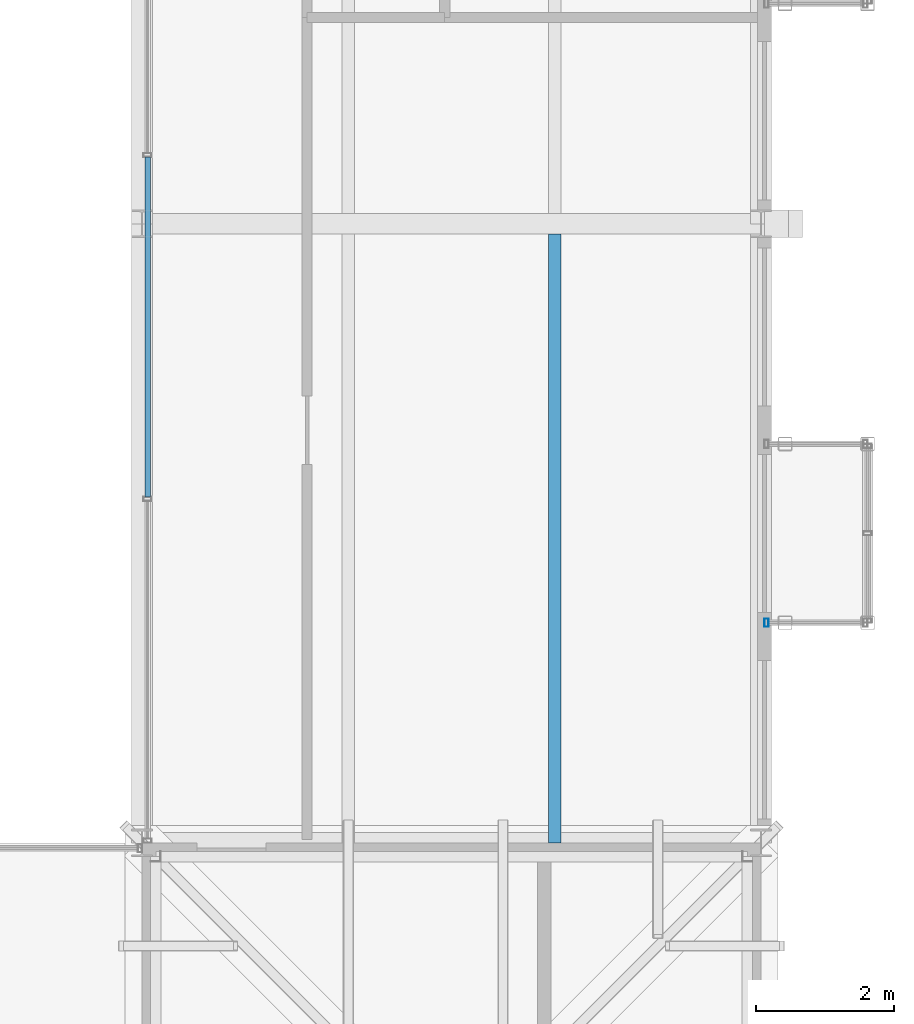
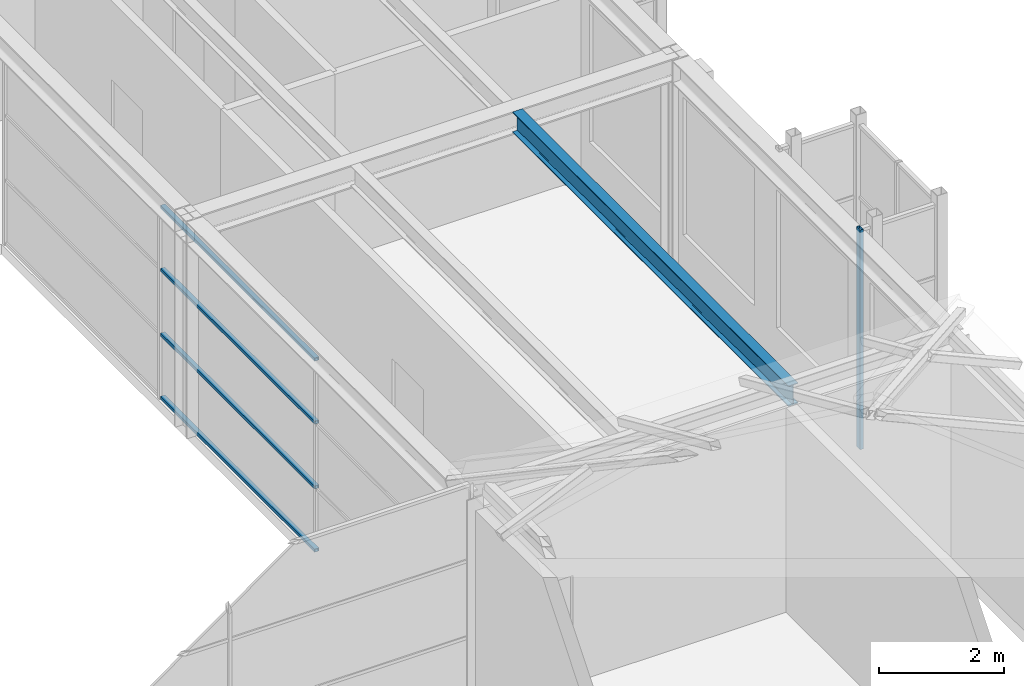
# One storey, part 26 of 149: 5 members, 1 beam, 2 elements without a shape of their own.
"""IFC4 building model written with IfcOpenShell, lengths in metres."""

from ifc_helpers import new_model, si_unit, direction, frame, origin, origin_2d, place, context, subcontext, project, spatial, hollow_rectangle, i_section, extrude, material, material_profile, profile_set, type_object, element, aggregate, save


model = new_model("IFC4")

# Units and contexts
model_context = context("Model", 3, precision=1e-05, world=origin(), true_north=direction((0.0, 1.0)))
body_context = subcontext(model_context, "Body", "Model", "MODEL_VIEW")
ifc_project = project(units=[si_unit("LENGTHUNIT", "METRE"), si_unit("AREAUNIT", "SQUARE_METRE"), si_unit("VOLUMEUNIT", "CUBIC_METRE"), si_unit("PLANEANGLEUNIT", "RADIAN"), si_unit("MASSUNIT", "GRAM", prefix="KILO")], contexts=[model_context])

# Site, building, storey
site_placement = place(None, origin())
site = spatial("IfcSite", under=ifc_project, at=site_placement, CompositionType="ELEMENT")
building_placement = place(site_placement, origin())
building = spatial("IfcBuilding", under=site, at=building_placement, Name="Kallimachos Central Library", CompositionType="ELEMENT")
storey_placement = place(building_placement, frame((0.0, 0.0, 9.89990234375)))
storey = spatial("IfcBuildingStorey", under=building, at=storey_placement, Name="L02", CompositionType="ELEMENT", Elevation=9.89990234375)

# Curtain wall, members
ifc_material_1 = material(Name="Aluminium and laminated glass", Category="aluminium")
curtain_wall_type_1 = type_object("IfcCurtainWallType", Name="Atrium glazed screen", PredefinedType="NOTDEFINED", material=ifc_material_1)
curtain_wall_1_placement = place(storey_placement, origin())
curtain_wall_1 = element("IfcCurtainWall", 1, at=curtain_wall_1_placement, inside=storey, type_object=curtain_wall_type_1, Name="L02 atrium screen E", PredefinedType="NOTDEFINED")
ifc_material_2 = material(Name="Anodised aluminium", Category="aluminium")
ifc_material_profile_1 = material_profile(ifc_material_2, hollow_rectangle(XDim=0.06005859375, YDim=0.080078125, WallThickness=0.00390625, at=origin_2d()), Name="ALU TRANSOM 60x80")
ifc_profile_set_1 = profile_set([ifc_material_profile_1], Name="Anodised aluminium")
member_type_1 = type_object("IfcMemberType", Name="Atrium screen transom", PredefinedType="USERDEFINED", material=ifc_profile_set_1)
member_1_placement = place(storey_placement, frame((101.580078125, 62.030029296875, 0.030029296875), z_axis=(0.0, 1.0, 0.0), x_axis=(0.0, 0.0, 1.0)))
member_1 = element("IfcMember", 2, at=member_1_placement, type_object=member_type_1, Name="CW transom 2.1", ObjectType="TRANSOM", PredefinedType="USERDEFINED", context=body_context, shape_type="SweptSolid", body=[
    extrude(hollow_rectangle(XDim=0.06005859375, YDim=0.080078125, WallThickness=0.00390625, at=origin_2d()), origin(), (0.0, 0.0, 1.0), 4.93994140625),
])
member_2_placement = place(storey_placement, frame((101.580078125, 62.030029296875, 1.266845703125), z_axis=(0.0, 1.0, 0.0), x_axis=(0.0, 0.0, 1.0)))
member_2 = element("IfcMember", 3, at=member_2_placement, type_object=member_type_1, Name="CW transom 2.2", ObjectType="TRANSOM", PredefinedType="USERDEFINED", context=body_context, shape_type="SweptSolid", body=[
    extrude(hollow_rectangle(XDim=0.06005859375, YDim=0.080078125, WallThickness=0.00390625, at=origin_2d()), origin(), (0.0, 0.0, 1.0), 4.93994140625),
])
member_3_placement = place(storey_placement, frame((101.580078125, 62.030029296875, 2.533447265625), z_axis=(0.0, 1.0, 0.0), x_axis=(0.0, 0.0, 1.0)))
member_3 = element("IfcMember", 4, at=member_3_placement, type_object=member_type_1, Name="CW transom 2.3", ObjectType="TRANSOM", PredefinedType="USERDEFINED", context=body_context, shape_type="SweptSolid", body=[
    extrude(hollow_rectangle(XDim=0.06005859375, YDim=0.080078125, WallThickness=0.00390625, at=origin_2d()), origin(), (0.0, 0.0, 1.0), 4.93994140625),
])
member_4_placement = place(storey_placement, frame((101.580078125, 62.030029296875, 3.77001953125), z_axis=(0.0, 1.0, 0.0), x_axis=(0.0, 0.0, 1.0)))
member_4 = element("IfcMember", 5, at=member_4_placement, type_object=member_type_1, Name="CW transom 2.4", ObjectType="TRANSOM", PredefinedType="USERDEFINED", context=body_context, shape_type="SweptSolid", body=[
    extrude(hollow_rectangle(XDim=0.06005859375, YDim=0.080078125, WallThickness=0.00390625, at=origin_2d()), origin(), (0.0, 0.0, 1.0), 4.93994140625),
])
aggregate(curtain_wall_1, [member_1, member_2, member_3, member_4])

# Beam
ifc_material_3 = material(Name="Steel S355J2", Category="steel")
ifc_material_profile_2 = material_profile(ifc_material_3, i_section(OverallWidth=0.179931640625, OverallDepth=0.39990234375, WebThickness=0.008544921875, FlangeThickness=0.013427734375, FilletRadius=0.02099609375, at=origin_2d()), Name="IPE 400")
ifc_profile_set_2 = profile_set([ifc_material_profile_2], Name="Steel S355J2")
beam_type = type_object("IfcBeamType", Name="IPE 400 beam", PredefinedType="BEAM", material=ifc_profile_set_2)
beam_placement = place(storey_placement, frame((107.5, 57.0, 4.050048828125), z_axis=(0.0, 1.0, 0.0), x_axis=(-1.0, 0.0, 0.0)))
element("IfcBeam", 6, at=beam_placement, inside=storey, type_object=beam_type, Name="V4-BEM-L02-038", PredefinedType="BEAM", context=body_context, shape_type="SweptSolid", body=[
    extrude(i_section(OverallWidth=0.179931640625, OverallDepth=0.39990234375, WebThickness=0.008544921875, FlangeThickness=0.013427734375, FilletRadius=0.02099609375, at=origin_2d()), origin(), (0.0, 0.0, 1.0), 8.85009765625),
])

# Curtain wall, member
ifc_material_4 = material(Name="Aluminium and laminated glass", Category="aluminium")
curtain_wall_type_2 = type_object("IfcCurtainWallType", Name="Tribune bay glazed screen", PredefinedType="NOTDEFINED", material=ifc_material_4)
curtain_wall_2_placement = place(storey_placement, origin())
curtain_wall_2 = element("IfcCurtainWall", 7, at=curtain_wall_2_placement, inside=storey, type_object=curtain_wall_type_2, Name="Tribune bay E1 L02 return 1", PredefinedType="NOTDEFINED")
ifc_material_5 = material(Name="Anodised aluminium", Category="aluminium")
ifc_material_profile_3 = material_profile(ifc_material_5, hollow_rectangle(XDim=0.06005859375, YDim=0.1201171875, WallThickness=0.00390625, at=origin_2d()), Name="ALU MULLION 60x120")
ifc_profile_set_3 = profile_set([ifc_material_profile_3], Name="Anodised aluminium")
member_type_2 = type_object("IfcMemberType", Name="Tribune bay mullion", PredefinedType="MULLION", material=ifc_profile_set_3)
member_5_placement = place(storey_placement, frame((110.580078125, 60.199951171875, 0.0), z_axis=(0.0, 0.0, 1.0), x_axis=(1.0, 0.0, 0.0)))
member_5 = element("IfcMember", 8, at=member_5_placement, type_object=member_type_2, Name="CW mullion 1", PredefinedType="MULLION", context=body_context, shape_type="SweptSolid", body=[
    extrude(hollow_rectangle(XDim=0.06005859375, YDim=0.1201171875, WallThickness=0.00390625, at=origin_2d()), origin(), (0.0, 0.0, 1.0), 4.300048828125),
])
aggregate(curtain_wall_2, [member_5])

save(model, "model.ifc")
